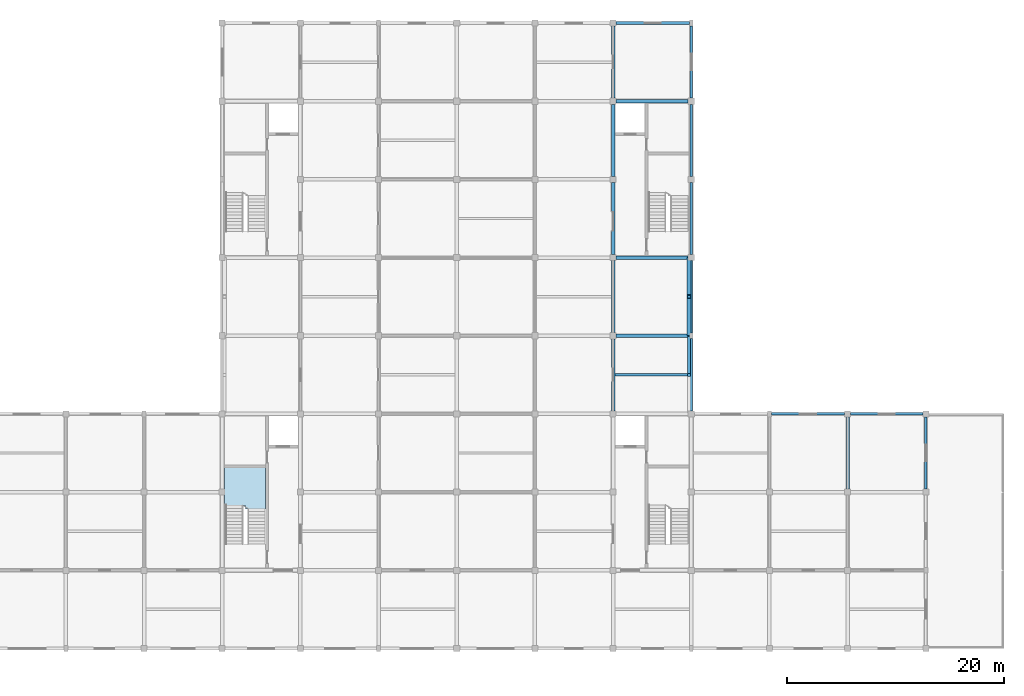
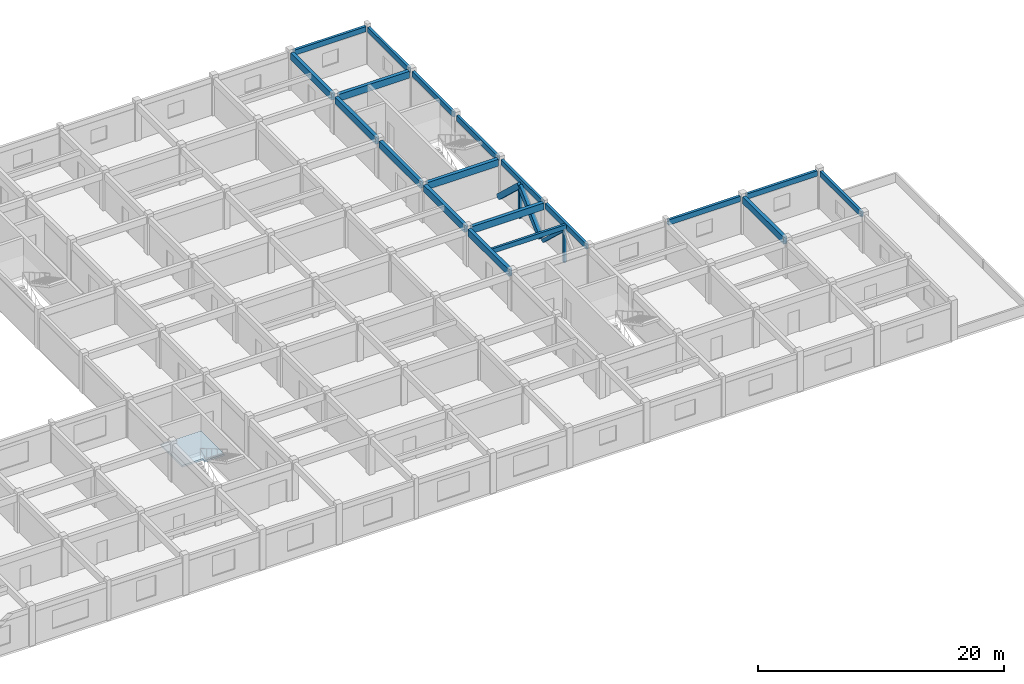
# One storey, part 3 of 10: 19 beams, 5 members, 1 slab, 1 element without a shape of its own.
"""IFC4 building model written with IfcOpenShell, lengths in metres."""

from ifc_helpers import new_model, si_unit, direction, frame, origin, origin_2d, place, context, subcontext, project, spatial, polyline, rectangle, outline, extrude, material, layer, layer_set, material_profile, profile_set, type_object, element, aggregate, save


model = new_model("IFC4")

# Units and contexts
model_context = context("Model", 3, precision=1e-05, world=origin(), true_north=direction((0.0, 1.0)))
body_context = subcontext(model_context, "Body", "Model", "MODEL_VIEW")
ifc_project = project(units=[si_unit("LENGTHUNIT", "METRE"), si_unit("AREAUNIT", "SQUARE_METRE"), si_unit("VOLUMEUNIT", "CUBIC_METRE"), si_unit("PLANEANGLEUNIT", "RADIAN"), si_unit("MASSUNIT", "GRAM", prefix="KILO")], contexts=[model_context])

# Site, building, storey
site_placement = place(None, origin())
site = spatial("IfcSite", under=ifc_project, at=site_placement, CompositionType="ELEMENT")
building_placement = place(site_placement, origin())
building = spatial("IfcBuilding", under=site, at=building_placement, Name="Cendaluz Park School", CompositionType="ELEMENT")
storey_placement = place(building_placement, frame((0.0, 0.0, 34.800048828125)))
storey = spatial("IfcBuildingStorey", under=building, at=storey_placement, Name="L08", CompositionType="ELEMENT", Elevation=34.800048828125)

# Beams
ifc_material_1 = material(Name="Glulam GL28h", Category="wood")
ifc_material_profile_1 = material_profile(ifc_material_1, rectangle(XDim=0.320068359375, YDim=0.679931640625, at=origin_2d()), Name="GL28h 320x680", Category="wood")
ifc_profile_set_1 = profile_set([ifc_material_profile_1], Name="Glulam GL28h")
beam_type_1 = type_object("IfcBeamType", Name="BM-GL01", PredefinedType="BEAM", material=ifc_profile_set_1)
beam_1_placement = place(storey_placement, frame((101.080078125, 36.0, 3.369873046875), z_axis=(1.0, 0.0, 0.0), x_axis=(0.0, 1.0, 0.0)))
element("IfcBeam", 1, at=beam_1_placement, inside=storey, type_object=beam_type_1, Name="BM-L08-BMGL01-0063", PredefinedType="BEAM", context=body_context, shape_type="SweptSolid", body=[
    extrude(rectangle(XDim=0.320068359375, YDim=0.679931640625, at=origin_2d()), origin(), (0.0, 0.0, 1.0), 6.739990234375),
])
for number, where, z_axis, x_axis, name in (
    (2, (101.080078125, 43.199951171875, 3.369873046875), (1.0, 0.0, 0.0), (0.0, 1.0, 0.0), "BM-L08-BMGL01-0064"),
    (3, (101.080078125, 57.60009765625, 3.369873046875), (1.0, 0.0, 0.0), (0.0, 1.0, 0.0), "BM-L08-BMGL01-0065"),
    (4, (100.800048828125, 29.080078125, 3.369873046875), (0.0, 1.0, 0.0), (-1.0, 0.0, 0.0), "BM-L08-BMGL01-0134"),
    (5, (100.800048828125, 36.280029296875, 3.369873046875), (0.0, 1.0, 0.0), (-1.0, 0.0, 0.0), "BM-L08-BMGL01-0135"),
):
    element("IfcBeam", number, at=place(storey_placement, frame(where, z_axis=z_axis, x_axis=x_axis)), inside=storey, type_object=beam_type_1, Name=name, PredefinedType="BEAM", context=body_context, shape_type="SweptSolid", body=[
        extrude(rectangle(XDim=0.320068359375, YDim=0.679931640625, at=origin_2d()), origin(), (0.0, 0.0, 1.0), 6.639892578125),
    ])
for number, where, z_axis, x_axis, name in (
    (6, (100.800048828125, 43.47998046875, 3.369873046875), (0.0, 1.0, 0.0), (-1.0, 0.0, 0.0), "BM-L08-BMGL01-0136"),
    (7, (100.800048828125, 50.679931640625, 3.369873046875), (0.0, 1.0, 0.0), (-1.0, 0.0, 0.0), "BM-L08-BMGL01-0137"),
    (8, (100.800048828125, 57.8798828125, 3.369873046875), (0.0, 1.0, 0.0), (-1.0, 0.0, 0.0), "BM-L08-BMGL01-0138"),
    (9, (122.39990234375, 21.8798828125, 3.369873046875), (0.0, 1.0, 0.0), (-1.0, 0.0, 0.0), "BM-L08-BMGL01-0152"),
):
    element("IfcBeam", number, at=place(storey_placement, frame(where, z_axis=z_axis, x_axis=x_axis)), inside=storey, type_object=beam_type_1, Name=name, PredefinedType="BEAM", context=body_context, shape_type="SweptSolid", body=[
        extrude(rectangle(XDim=0.320068359375, YDim=0.679931640625, at=origin_2d()), origin(), (0.0, 0.0, 1.0), 6.64013671875),
    ])
ifc_material_profile_2 = material_profile(ifc_material_1, rectangle(XDim=0.239990234375, YDim=0.52001953125, at=origin_2d()), Name="GL28h 240x520", Category="wood")
ifc_profile_set_2 = profile_set([ifc_material_profile_2], Name="Glulam GL28h")
beam_type_2 = type_object("IfcBeamType", Name="BM-GL03", PredefinedType="SPANDREL", material=ifc_profile_set_2)
beam_2_placement = place(storey_placement, frame((101.080078125, 64.800048828125, 3.449951171875), z_axis=(1.0, 0.0, 0.0), x_axis=(0.0, 1.0, 0.0)))
element("IfcBeam", 10, at=beam_2_placement, inside=storey, type_object=beam_type_2, Name="BM-L08-BMGL03-0066", PredefinedType="SPANDREL", context=body_context, shape_type="SweptSolid", body=[
    extrude(rectangle(XDim=0.239990234375, YDim=0.52001953125, at=origin_2d()), origin(), (0.0, 0.0, 1.0), 6.739990234375),
])
beam_3_placement = place(storey_placement, frame((115.3798828125, 28.800048828125, 3.449951171875), z_axis=(1.0, 0.0, 0.0), x_axis=(0.0, 1.0, 0.0)))
element("IfcBeam", 11, at=beam_3_placement, inside=storey, type_object=beam_type_2, Name="BM-L08-BMGL03-0074", PredefinedType="SPANDREL", context=body_context, shape_type="SweptSolid", body=[
    extrude(rectangle(XDim=0.239990234375, YDim=0.52001953125, at=origin_2d()), origin(), (0.0, 0.0, 1.0), 6.740234375),
])
beam_4_placement = place(storey_placement, frame((122.679931640625, 28.800048828125, 3.449951171875), z_axis=(1.0, 0.0, 0.0), x_axis=(0.0, 1.0, 0.0)))
element("IfcBeam", 12, at=beam_4_placement, inside=storey, type_object=beam_type_2, Name="BM-L08-BMGL03-0078", PredefinedType="SPANDREL", context=body_context, shape_type="SweptSolid", body=[
    extrude(rectangle(XDim=0.239990234375, YDim=0.52001953125, at=origin_2d()), origin(), (0.0, 0.0, 1.0), 6.64013671875),
])
for number, where, z_axis, x_axis, name in (
    (13, (108.0, 29.080078125, 3.449951171875), (0.0, 1.0, 0.0), (-1.0, 0.0, 0.0), "BM-L08-BMGL03-0142"),
    (14, (108.0, 36.260009765625, 3.449951171875), (0.0, 1.0, 0.0), (-1.0, 0.0, 0.0), "BM-L08-BMGL03-0143"),
):
    element("IfcBeam", number, at=place(storey_placement, frame(where, z_axis=z_axis, x_axis=x_axis)), inside=storey, type_object=beam_type_2, Name=name, PredefinedType="SPANDREL", context=body_context, shape_type="SweptSolid", body=[
        extrude(rectangle(XDim=0.239990234375, YDim=0.52001953125, at=origin_2d()), origin(), (0.0, 0.0, 1.0), 6.659912109375),
    ])
for number, where, z_axis, x_axis, name in (
    (15, (108.0, 43.47998046875, 3.449951171875), (0.0, 1.0, 0.0), (-1.0, 0.0, 0.0), "BM-L08-BMGL03-0144"),
    (16, (108.0, 50.679931640625, 3.449951171875), (0.0, 1.0, 0.0), (-1.0, 0.0, 0.0), "BM-L08-BMGL03-0145"),
):
    element("IfcBeam", number, at=place(storey_placement, frame(where, z_axis=z_axis, x_axis=x_axis)), inside=storey, type_object=beam_type_2, Name=name, PredefinedType="SPANDREL", context=body_context, shape_type="SweptSolid", body=[
        extrude(rectangle(XDim=0.239990234375, YDim=0.52001953125, at=origin_2d()), origin(), (0.0, 0.0, 1.0), 6.64013671875),
    ])
beam_5_placement = place(storey_placement, frame((108.0, 57.8798828125, 3.449951171875), z_axis=(0.0, 1.0, 0.0), x_axis=(-1.0, 0.0, 0.0)))
element("IfcBeam", 17, at=beam_5_placement, inside=storey, type_object=beam_type_2, Name="BM-L08-BMGL03-0146", PredefinedType="SPANDREL", context=body_context, shape_type="SweptSolid", body=[
    extrude(rectangle(XDim=0.239990234375, YDim=0.52001953125, at=origin_2d()), origin(), (0.0, 0.0, 1.0), 6.66015625),
])
beam_6_placement = place(storey_placement, frame((129.60009765625, 21.8798828125, 3.449951171875), z_axis=(0.0, 1.0, 0.0), x_axis=(-1.0, 0.0, 0.0)))
element("IfcBeam", 18, at=beam_6_placement, inside=storey, type_object=beam_type_2, Name="BM-L08-BMGL03-0155", PredefinedType="SPANDREL", context=body_context, shape_type="SweptSolid", body=[
    extrude(rectangle(XDim=0.239990234375, YDim=0.52001953125, at=origin_2d()), origin(), (0.0, 0.0, 1.0), 6.64013671875),
])
ifc_material_profile_3 = material_profile(ifc_material_1, rectangle(XDim=0.219970703125, YDim=0.4599609375, at=origin_2d()), Name="GL28h 220x460", Category="wood")
ifc_profile_set_3 = profile_set([ifc_material_profile_3], Name="Glulam GL28h")
beam_type_3 = type_object("IfcBeamType", Name="JT-GL01", PredefinedType="JOIST", material=ifc_profile_set_3)
beam_7_placement = place(storey_placement, frame((100.9599609375, 32.39990234375, 3.47998046875), z_axis=(1.0, 0.0, 0.0), x_axis=(0.0, 1.0, 0.0)))
element("IfcBeam", 19, at=beam_7_placement, inside=storey, type_object=beam_type_3, Name="BM-L08-JTGL01-0172", PredefinedType="JOIST", context=body_context, shape_type="SweptSolid", body=[
    extrude(rectangle(XDim=0.219970703125, YDim=0.4599609375, at=origin_2d()), origin(), (0.0, 0.0, 1.0), 6.919921875),
])

# Members
ifc_material_2 = material(Name="Glulam GL32h", Category="wood")
ifc_material_profile_4 = material_profile(ifc_material_2, rectangle(XDim=0.300048828125, YDim=0.300048828125, at=origin_2d()), Name="GL32h 300x300", Category="wood")
ifc_profile_set_4 = profile_set([ifc_material_profile_4], Name="Glulam GL32h")
member_type_1 = type_object("IfcMemberType", Name="MBR-03", PredefinedType="BRACE", material=ifc_profile_set_4)
member_1_placement = place(storey_placement, frame((107.780029296875, 35.820068359375, 0.0), z_axis=(0.0, -0.729158896416, 0.684344433584), x_axis=(1.0, 0.0, 0.0)))
element("IfcMember", 20, at=member_1_placement, inside=storey, type_object=member_type_1, Name="MB-L08-MBBR03-0005", PredefinedType="BRACE", context=body_context, shape_type="SweptSolid", body=[
    extrude(rectangle(XDim=0.300048828125, YDim=0.300048828125, at=origin_2d()), origin(), (0.0, 0.0, 1.0), 4.690673828125),
])
ifc_material_profile_5 = material_profile(ifc_material_2, rectangle(XDim=0.360107421875, YDim=0.52001953125, at=origin_2d()), Name="GL32h 360x520", Category="wood")
ifc_profile_set_5 = profile_set([ifc_material_profile_5], Name="Glulam GL32h")
member_type_2 = type_object("IfcMemberType", Name="MBR-04", PredefinedType="BRACE", material=ifc_profile_set_5)
member_2_placement = place(storey_placement, frame((107.780029296875, 36.179931640625, 0.0), z_axis=(0.0, 0.729158896416, 0.684344433584), x_axis=(-1.0, 0.0, 0.0)))
element("IfcMember", 21, at=member_2_placement, inside=storey, type_object=member_type_2, Name="MB-L08-MBBR04-0010", PredefinedType="BRACE", context=body_context, shape_type="SweptSolid", body=[
    extrude(rectangle(XDim=0.360107421875, YDim=0.52001953125, at=origin_2d()), origin(), (0.0, 0.0, 1.0), 4.690673828125),
])
member_3_placement = place(storey_placement, frame((107.780029296875, 43.02001953125, 0.0), z_axis=(0.0, -0.729134518911, 0.684370406528), x_axis=(1.0, 0.0, 0.0)))
element("IfcMember", 22, at=member_3_placement, inside=storey, type_object=member_type_2, Name="MB-L08-MBBR04-0011", PredefinedType="BRACE", context=body_context, shape_type="SweptSolid", body=[
    extrude(rectangle(XDim=0.360107421875, YDim=0.52001953125, at=origin_2d()), origin(), (0.0, 0.0, 1.0), 4.6904296875),
])
ifc_material_profile_6 = material_profile(ifc_material_2, rectangle(XDim=0.260009765625, YDim=0.260009765625, at=origin_2d()), Name="GL32h 260x260", Category="wood")
ifc_profile_set_6 = profile_set([ifc_material_profile_6], Name="Glulam GL32h")
member_type_3 = type_object("IfcMemberType", Name="MST-03", PredefinedType="STRUT", material=ifc_profile_set_6)
for number, where, z_axis, x_axis, name in (
    (23, (107.780029296875, 32.39990234375, 0.0), (0.0, 0.0, 1.0), (1.0, 0.0, 0.0), "MB-L08-MBST03-0006"),
    (24, (107.780029296875, 39.60009765625, 0.0), (0.0, 0.0, 1.0), (1.0, 0.0, 0.0), "MB-L08-MBST03-0012"),
):
    element("IfcMember", number, at=place(storey_placement, frame(where, z_axis=z_axis, x_axis=x_axis)), inside=storey, type_object=member_type_3, Name=name, PredefinedType="STRUT", context=body_context, shape_type="SweptSolid", body=[
        extrude(rectangle(XDim=0.260009765625, YDim=0.260009765625, at=origin_2d()), origin(), (0.0, 0.0, 1.0), 3.2099609375),
    ])

# Stair, slab
ifc_material_3 = material(Name="Cross-laminated timber CLT C24", Category="wood")
stair_type = type_object("IfcStairType", Name="ST-400-165", PredefinedType="HALF_TURN_STAIR", material=ifc_material_3)
stair_placement = place(storey_placement, origin())
stair = element("IfcStair", 25, at=stair_placement, inside=storey, type_object=stair_type, Name="ST-L08-C1", PredefinedType="HALF_TURN_STAIR")
ifc_layer = layer(ifc_material_3, 0.179931640625)
ifc_layer_set = layer_set([ifc_layer], Name="Cross-laminated timber CLT C24")
slab_type = type_object("IfcSlabType", Name="SL-LD-180", PredefinedType="LANDING", material=ifc_layer_set)
slab_placement = place(storey_placement, frame((0.0, 0.0, 1.89990234375)))
slab = element("IfcSlab", 26, at=slab_placement, type_object=slab_type, Name="SL-LD-L08-C1", PredefinedType="LANDING", context=body_context, shape_type="SweptSolid", body=[
    extrude(outline(polyline([(64.989990234375, 20.360107421875), (66.925048828125, 20.360107421875), (66.925048828125, 20.06005859375), (68.77001953125, 20.06005859375), (68.77001953125, 23.860107421875), (64.989990234375, 23.860107421875), (64.989990234375, 20.360107421875)])), origin(), (0.0, 0.0, 1.0), 0.179931640625),
])
aggregate(stair, [slab])

save(model, "model.ifc")
